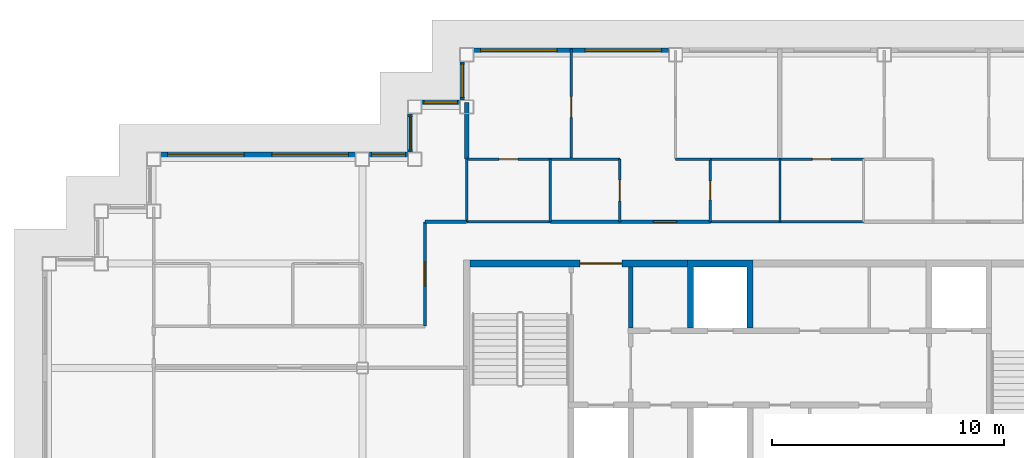
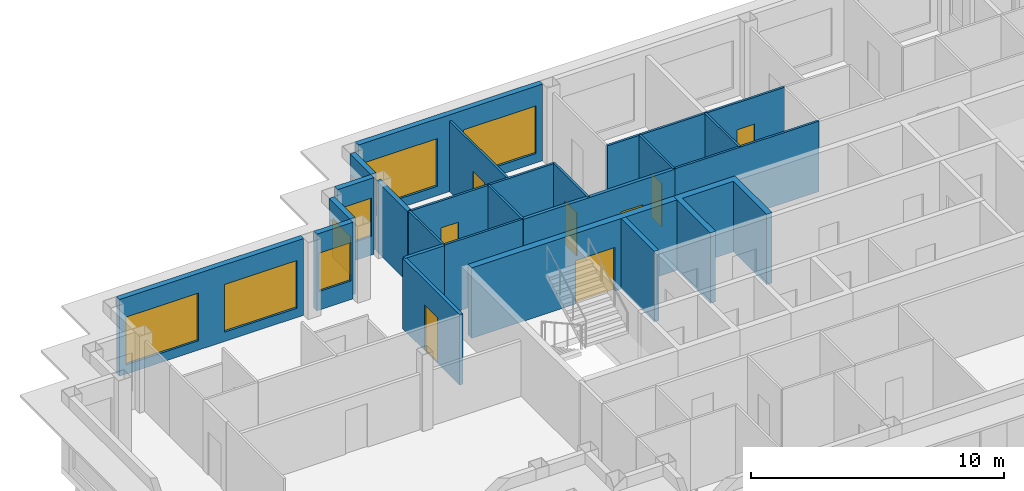
# One storey, part 4 of 12: 25 walls, 8 doors, 8 windows, 16 openings.
"""IFC4 building model written with IfcOpenShell, lengths in metres."""

from ifc_helpers import new_model, si_unit, direction, frame, frame_2d, origin, place, context, subcontext, project, spatial, polyline, rectangle, outline, extrude, material, layer, layer_set, type_object, element, fill, save


model = new_model("IFC4")

# Units and contexts
model_context = context("Model", 3, precision=1e-05, world=origin(), true_north=direction((0.0, 1.0)))
body_context = subcontext(model_context, "Body", "Model", "MODEL_VIEW")
ifc_project = project(units=[si_unit("LENGTHUNIT", "METRE"), si_unit("AREAUNIT", "SQUARE_METRE"), si_unit("VOLUMEUNIT", "CUBIC_METRE"), si_unit("PLANEANGLEUNIT", "RADIAN"), si_unit("MASSUNIT", "GRAM", prefix="KILO")], contexts=[model_context])

# Site, building, storey
site_placement = place(None, origin())
site = spatial("IfcSite", under=ifc_project, at=site_placement, CompositionType="ELEMENT")
building_placement = place(site_placement, origin())
building = spatial("IfcBuilding", under=site, at=building_placement, Name="Caravel Reach Hotel and Residences", CompositionType="ELEMENT")
storey_placement = place(building_placement, frame((0.0, 0.0, 245.300048828125)))
storey = spatial("IfcBuildingStorey", under=building, at=storey_placement, Name="L62", CompositionType="ELEMENT", Elevation=245.300048828125)

# Walls
ifc_material_1 = material(Name="Gypsum board on steel stud", Category="steel")
ifc_layer_1 = layer(ifc_material_1, 0.10009765625)
ifc_layer_set_1 = layer_set([ifc_layer_1], Name="Bathroom pod wall 100 mm")
wall_type_1 = type_object("IfcWallType", Name="Bathroom pod wall 100 mm", PredefinedType="PARTITIONING", material=ifc_layer_set_1)
wall_1_placement = place(storey_placement, frame((28.5, 33.300048828125, 0.0), z_axis=(0.0, 0.0, 1.0), x_axis=(1.0, 0.0, 0.0)))
element("IfcWall", 1, at=wall_1_placement, inside=storey, type_object=wall_type_1, Name="L62 wall w057", PredefinedType="PARTITIONING", context=body_context, shape_type="SweptSolid", body=[
    extrude(rectangle(XDim=6.60009765625, YDim=0.10009765625, at=frame_2d((3.300048828125, 0.0))), origin(), (0.0, 0.0, 1.0), 3.39990234375),
])
wall_2_placement = place(storey_placement, frame((18.0, 33.300048828125, 0.0), z_axis=(0.0, 0.0, 1.0), x_axis=(1.0, 0.0, 0.0)))
element("IfcWall", 2, at=wall_2_placement, inside=storey, type_object=wall_type_1, Name="L62 wall w058", PredefinedType="PARTITIONING", context=body_context, shape_type="SweptSolid", body=[
    extrude(rectangle(XDim=3.60009765625, YDim=0.10009765625, at=frame_2d((1.800048828125, 0.0))), origin(), (0.0, 0.0, 1.0), 3.39990234375),
])

# Wall, opening, door
wall_3_placement = place(storey_placement, frame((28.5, 36.0, 0.0), z_axis=(0.0, 0.0, 1.0), x_axis=(1.0, 0.0, 0.0)))
wall_3 = element("IfcWall", 3, at=wall_3_placement, inside=storey, type_object=wall_type_1, Name="L62 wall w062", PredefinedType="PARTITIONING", context=body_context, shape_type="SweptSolid", body=[
    extrude(rectangle(XDim=6.60009765625, YDim=0.10009765625, at=frame_2d((3.300048828125, 0.0))), origin(), (0.0, 0.0, 1.0), 3.39990234375),
])
opening_1_placement = place(wall_3_placement, frame((4.39990234375, 0.0, 0.0)))
opening_1 = element("IfcOpeningElement", 4, at=opening_1_placement, cuts=wall_3, Name="Opening D62-024", PredefinedType="OPENING", context=body_context, shape_type="SweptSolid", body=[
    extrude(rectangle(XDim=0.800048828125, YDim=2.10009765625, at=frame_2d((0.39990234375, 1.050048828125))), frame((0.0, 0.06005859375, 0.0), z_axis=(0.0, -1.0, 0.0), x_axis=(1.0, 0.0, 0.0)), (0.0, 0.0, 1.0), 0.1201171875),
])
ifc_material_2 = material(Name="Timber and steel door leaf", Category="steel")
door_type_1 = type_object("IfcDoorType", Name="Bathroom door 800 x 2100", OperationType="SINGLE_SWING_LEFT", PredefinedType="DOOR", material=ifc_material_2)
door_1_placement = place(opening_1_placement, origin())
door_1 = element("IfcDoor", 5, at=door_1_placement, inside=storey, type_object=door_type_1, Name="door D62-024", OperationType="SINGLE_SWING_LEFT", OverallHeight=2.10009765625, OverallWidth=0.800048828125, PredefinedType="DOOR", context=body_context, shape_type="SweptSolid", body=[
    extrude(rectangle(XDim=0.800048828125, YDim=2.10009765625, at=frame_2d((0.39990234375, 1.050048828125))), frame((0.0, 0.02490234375, 0.0), z_axis=(0.0, -1.0, 0.0), x_axis=(1.0, 0.0, 0.0)), (0.0, 0.0, 1.0), 0.050048828125),
])
fill(opening_1, door_1)

wall_4_placement = place(storey_placement, frame((18.0, 36.0, 0.0), z_axis=(0.0, 0.0, 1.0), x_axis=(1.0, 0.0, 0.0)))
wall_4 = element("IfcWall", 6, at=wall_4_placement, inside=storey, type_object=wall_type_1, Name="L62 wall w063", PredefinedType="PARTITIONING", context=body_context, shape_type="SweptSolid", body=[
    extrude(rectangle(XDim=3.60009765625, YDim=0.10009765625, at=frame_2d((1.800048828125, 0.0))), origin(), (0.0, 0.0, 1.0), 3.39990234375),
])
opening_2_placement = place(wall_4_placement, frame((1.39990234375, 0.0, 0.0)))
opening_2 = element("IfcOpeningElement", 7, at=opening_2_placement, cuts=wall_4, Name="Opening D62-018", PredefinedType="OPENING", context=body_context, shape_type="SweptSolid", body=[
    extrude(rectangle(XDim=0.800048828125, YDim=2.10009765625, at=frame_2d((0.39990234375, 1.050048828125))), frame((0.0, 0.06005859375, 0.0), z_axis=(0.0, -1.0, 0.0), x_axis=(1.0, 0.0, 0.0)), (0.0, 0.0, 1.0), 0.1201171875),
])
door_2_placement = place(opening_2_placement, origin())
door_2 = element("IfcDoor", 8, at=door_2_placement, inside=storey, type_object=door_type_1, Name="door D62-018", OperationType="SINGLE_SWING_LEFT", OverallHeight=2.10009765625, OverallWidth=0.800048828125, PredefinedType="DOOR", context=body_context, shape_type="SweptSolid", body=[
    extrude(rectangle(XDim=0.800048828125, YDim=2.10009765625, at=frame_2d((0.39990234375, 1.050048828125))), frame((0.0, 0.02490234375, 0.0), z_axis=(0.0, -1.0, 0.0), x_axis=(1.0, 0.0, 0.0)), (0.0, 0.0, 1.0), 0.050048828125),
])
fill(opening_2, door_2)

# Walls
wall_5_placement = place(storey_placement, frame((18.0, 33.301025390625, 0.0), z_axis=(0.0, 0.0, 1.0), x_axis=(0.0, 1.0, 0.0)))
element("IfcWall", 9, at=wall_5_placement, inside=storey, type_object=wall_type_1, Name="L62 wall w066", PredefinedType="PARTITIONING", context=body_context, shape_type="SweptSolid", body=[
    extrude(rectangle(XDim=2.698974609375, YDim=0.10009765625, at=frame_2d((1.349609375, 0.0))), origin(), (0.0, 0.0, 1.0), 3.39990234375),
])
wall_6_placement = place(storey_placement, frame((21.60009765625, 33.300048828125, 0.0), z_axis=(0.0, 0.0, 1.0), x_axis=(0.0, 1.0, 0.0)))
element("IfcWall", 10, at=wall_6_placement, inside=storey, type_object=wall_type_1, Name="L62 wall w069", PredefinedType="PARTITIONING", context=body_context, shape_type="SweptSolid", body=[
    extrude(rectangle(XDim=2.699951171875, YDim=0.10009765625, at=frame_2d((1.35009765625, 0.0))), origin(), (0.0, 0.0, 1.0), 3.39990234375),
])

# Wall, opening, door
wall_7_placement = place(storey_placement, frame((28.5, 33.300048828125, 0.0), z_axis=(0.0, 0.0, 1.0), x_axis=(0.0, 1.0, 0.0)))
wall_7 = element("IfcWall", 11, at=wall_7_placement, inside=storey, type_object=wall_type_1, Name="L62 wall w071", PredefinedType="PARTITIONING", context=body_context, shape_type="SweptSolid", body=[
    extrude(rectangle(XDim=2.699951171875, YDim=0.10009765625, at=frame_2d((1.35009765625, 0.0))), origin(), (0.0, 0.0, 1.0), 3.39990234375),
])
opening_3_placement = place(wall_7_placement, frame((0.949951171875, 0.0, 0.0)))
opening_3 = element("IfcOpeningElement", 12, at=opening_3_placement, cuts=wall_7, Name="Opening D62-020", PredefinedType="OPENING", context=body_context, shape_type="SweptSolid", body=[
    extrude(rectangle(XDim=0.800048828125, YDim=2.10009765625, at=frame_2d((0.39990234375, 1.050048828125))), frame((0.0, 0.06005859375, 0.0), z_axis=(0.0, -1.0, 0.0), x_axis=(1.0, 0.0, 0.0)), (0.0, 0.0, 1.0), 0.1201171875),
])
door_3_placement = place(opening_3_placement, origin())
door_3 = element("IfcDoor", 13, at=door_3_placement, inside=storey, type_object=door_type_1, Name="door D62-020", OperationType="SINGLE_SWING_LEFT", OverallHeight=2.10009765625, OverallWidth=0.800048828125, PredefinedType="DOOR", context=body_context, shape_type="SweptSolid", body=[
    extrude(rectangle(XDim=0.800048828125, YDim=2.10009765625, at=frame_2d((0.39990234375, 1.050048828125))), frame((0.0, 0.02490234375, 0.0), z_axis=(0.0, -1.0, 0.0), x_axis=(1.0, 0.0, 0.0)), (0.0, 0.0, 1.0), 0.050048828125),
])
fill(opening_3, door_3)

# Walls
wall_8_placement = place(storey_placement, frame((31.5, 33.300048828125, 0.0), z_axis=(0.0, 0.0, 1.0), x_axis=(0.0, 1.0, 0.0)))
element("IfcWall", 14, at=wall_8_placement, inside=storey, type_object=wall_type_1, Name="L62 wall w072", PredefinedType="PARTITIONING", context=body_context, shape_type="SweptSolid", body=[
    extrude(rectangle(XDim=2.699951171875, YDim=0.10009765625, at=frame_2d((1.35009765625, 0.0))), origin(), (0.0, 0.0, 1.0), 3.39990234375),
])
ifc_material_3 = material(Name="Autoclaved aerated block wall")
ifc_layer_2 = layer(ifc_material_3, 0.199951171875)
ifc_layer_set_2 = layer_set([ifc_layer_2], Name="Compartment wall 200 mm EI 120")
wall_type_2 = type_object("IfcWallType", Name="Compartment wall 200 mm EI 120", PredefinedType="PARTITIONING", material=ifc_layer_set_2)
wall_9_placement = place(storey_placement, frame((25.071533203125, 28.72509765625, 0.0), z_axis=(0.0, 0.0, 1.0), x_axis=(0.0, 1.0, 0.0)))
element("IfcWall", 15, at=wall_9_placement, inside=storey, type_object=wall_type_2, Name="L62 store partition", PredefinedType="PARTITIONING", context=body_context, shape_type="SweptSolid", body=[
    extrude(rectangle(XDim=2.625, YDim=0.199951171875, at=frame_2d((1.3125, 0.0))), origin(), (0.0, 0.0, 1.0), 3.39990234375),
])

# Wall, opening, door
ifc_material_4 = material(Name="Concrete C60", Category="concrete")
ifc_layer_3 = layer(ifc_material_4, 0.300048828125)
ifc_layer_set_3 = layer_set([ifc_layer_3], Name="Core wall 300 mm EI 120")
wall_type_3 = type_object("IfcWallType", Name="Core wall 300 mm EI 120", PredefinedType="SHEAR", material=ifc_layer_set_3)
wall_10_placement = place(storey_placement, frame((18.14990234375, 31.5, 0.0), z_axis=(0.0, 0.0, 1.0), x_axis=(1.0, 0.0, 0.0)))
wall_10 = element("IfcWall", 16, at=wall_10_placement, inside=storey, type_object=wall_type_3, Name="L62 core wall N1", PredefinedType="SHEAR", context=body_context, shape_type="SweptSolid", body=[
    extrude(rectangle(XDim=9.367919921875, YDim=0.300048828125, at=frame_2d((4.68408203125, 0.0))), origin(), (0.0, 0.0, 1.0), 3.39990234375),
])
opening_4_placement = place(wall_10_placement, frame((4.735595703125, 0.0, 0.0)))
opening_4 = element("IfcOpeningElement", 17, at=opening_4_placement, cuts=wall_10, Name="Opening D62-015", PredefinedType="OPENING", context=body_context, shape_type="SweptSolid", body=[
    extrude(rectangle(XDim=1.800048828125, YDim=2.10009765625, at=frame_2d((0.89990234375, 1.050048828125))), frame((0.0, 0.159912109375, 0.0), z_axis=(0.0, -1.0, 0.0), x_axis=(1.0, 0.0, 0.0)), (0.0, 0.0, 1.0), 0.320068359375),
])
ifc_material_5 = material(Name="Steel fire door leaf", Category="steel")
door_type_2 = type_object("IfcDoorType", Name="Fire lobby door pair 1800 x 2100 EI 90", OperationType="DOUBLE_DOOR_SINGLE_SWING", PredefinedType="DOOR", material=ifc_material_5)
door_4_placement = place(opening_4_placement, origin())
door_4 = element("IfcDoor", 18, at=door_4_placement, inside=storey, type_object=door_type_2, Name="lobby N door pair to corridor", OperationType="DOUBLE_DOOR_SINGLE_SWING", OverallHeight=2.10009765625, OverallWidth=1.800048828125, PredefinedType="DOOR", context=body_context, shape_type="SweptSolid", body=[
    extrude(rectangle(XDim=1.800048828125, YDim=2.10009765625, at=frame_2d((0.89990234375, 1.050048828125))), frame((0.0, 0.02490234375, 0.0), z_axis=(0.0, -1.0, 0.0), x_axis=(1.0, 0.0, 0.0)), (0.0, 0.0, 1.0), 0.050048828125),
])
fill(opening_4, door_4)

ifc_material_6 = material(Name="Gypsum board on steel stud, fire-rated", Category="steel")
ifc_layer_4 = layer(ifc_material_6, 0.14990234375)
ifc_layer_set_4 = layer_set([ifc_layer_4], Name="Corridor wall 150 mm EI 60")
wall_type_4 = type_object("IfcWallType", Name="Corridor wall 150 mm EI 60", PredefinedType="PARTITIONING", material=ifc_layer_set_4)
wall_11_placement = place(storey_placement, frame((21.60009765625, 33.300048828125, 0.0), z_axis=(0.0, 0.0, 1.0), x_axis=(1.0, 0.0, 0.0)))
wall_11 = element("IfcWall", 19, at=wall_11_placement, inside=storey, type_object=wall_type_4, Name="L62 wall w011", PredefinedType="PARTITIONING", context=body_context, shape_type="SweptSolid", body=[
    extrude(rectangle(XDim=6.89990234375, YDim=0.14990234375, at=frame_2d((3.449951171875, 0.0))), origin(), (0.0, 0.0, 1.0), 3.39990234375),
])
opening_5_placement = place(wall_11_placement, frame((4.449951171875, 0.0, 0.0)))
opening_5 = element("IfcOpeningElement", 20, at=opening_5_placement, cuts=wall_11, Name="Opening D62-017", PredefinedType="OPENING", context=body_context, shape_type="SweptSolid", body=[
    extrude(rectangle(XDim=1.0, YDim=2.199951171875, at=frame_2d((0.5, 1.10009765625))), frame((0.0, 0.0849609375, 0.0), z_axis=(0.0, -1.0, 0.0), x_axis=(1.0, 0.0, 0.0)), (0.0, 0.0, 1.0), 0.169921875),
])
ifc_material_7 = material(Name="Steel fire door leaf", Category="steel")
door_type_3 = type_object("IfcDoorType", Name="Flat entrance door 1000 x 2200 EI 60", OperationType="SINGLE_SWING_LEFT", PredefinedType="DOOR", material=ifc_material_7)
door_5_placement = place(opening_5_placement, origin())
door_5 = element("IfcDoor", 21, at=door_5_placement, inside=storey, type_object=door_type_3, Name="door D62-017", OperationType="SINGLE_SWING_LEFT", OverallHeight=2.199951171875, OverallWidth=1.0, PredefinedType="DOOR", context=body_context, shape_type="SweptSolid", body=[
    extrude(rectangle(XDim=1.0, YDim=2.199951171875, at=frame_2d((0.5, 1.10009765625))), frame((0.0, 0.02490234375, 0.0), z_axis=(0.0, -1.0, 0.0), x_axis=(1.0, 0.0, 0.0)), (0.0, 0.0, 1.0), 0.050048828125),
])
fill(opening_5, door_5)

# Wall
wall_12_placement = place(storey_placement, frame((16.199951171875, 33.300048828125, 0.0), z_axis=(0.0, 0.0, 1.0), x_axis=(1.0, 0.0, 0.0)))
element("IfcWall", 22, at=wall_12_placement, inside=storey, type_object=wall_type_4, Name="L62 wall w014", PredefinedType="PARTITIONING", context=body_context, shape_type="SweptSolid", body=[
    extrude(rectangle(XDim=1.799072265625, YDim=0.14990234375, at=frame_2d((0.8994140625, 0.0))), origin(), (0.0, 0.0, 1.0), 3.39990234375),
])

# Wall, opening, door
wall_13_placement = place(storey_placement, frame((16.199951171875, 28.801025390625, 0.0), z_axis=(0.0, 0.0, 1.0), x_axis=(0.0, 1.0, 0.0)))
wall_13 = element("IfcWall", 23, at=wall_13_placement, inside=storey, type_object=wall_type_4, Name="L62 wall w015", PredefinedType="PARTITIONING", context=body_context, shape_type="SweptSolid", body=[
    extrude(rectangle(XDim=4.4990234375, YDim=0.14990234375, at=frame_2d((2.24951171875, 0.0))), origin(), (0.0, 0.0, 1.0), 3.39990234375),
])
opening_6_placement = place(wall_13_placement, frame((1.74951171875, 0.0, 0.0)))
opening_6 = element("IfcOpeningElement", 24, at=opening_6_placement, cuts=wall_13, Name="Opening D62-029", PredefinedType="OPENING", context=body_context, shape_type="SweptSolid", body=[
    extrude(rectangle(XDim=1.0, YDim=2.199951171875, at=frame_2d((0.5, 1.10009765625))), frame((0.0, 0.0849609375, 0.0), z_axis=(0.0, -1.0, 0.0), x_axis=(1.0, 0.0, 0.0)), (0.0, 0.0, 1.0), 0.169921875),
])
door_6_placement = place(opening_6_placement, origin())
door_6 = element("IfcDoor", 25, at=door_6_placement, inside=storey, type_object=door_type_3, Name="door D62-029", OperationType="SINGLE_SWING_RIGHT", OverallHeight=2.199951171875, OverallWidth=1.0, PredefinedType="DOOR", context=body_context, shape_type="SweptSolid", body=[
    extrude(rectangle(XDim=1.0, YDim=2.199951171875, at=frame_2d((0.5, 1.10009765625))), frame((0.0, 0.02490234375, 0.0), z_axis=(0.0, -1.0, 0.0), x_axis=(1.0, 0.0, 0.0)), (0.0, 0.0, 1.0), 0.050048828125),
])
fill(opening_6, door_6)

# Wall, openings, windows
ifc_material_8 = material(Name="Insulated rainscreen wall, aluminium cladding", Category="aluminium")
ifc_layer_5 = layer(ifc_material_8, 0.25)
ifc_layer_set_5 = layer_set([ifc_layer_5], Name="EW1 Tower rainscreen wall")
wall_type_5 = type_object("IfcWallType", Name="EW1 Tower rainscreen wall", PredefinedType="SOLIDWALL", material=ifc_layer_set_5)
wall_14_placement = place(storey_placement, frame((26.699951171875, 40.675048828125, 0.0), z_axis=(0.0, 0.0, 1.0), x_axis=(-1.0, 0.0, 0.0)))
wall_14 = element("IfcWall", 26, at=wall_14_placement, inside=storey, type_object=wall_type_5, Name="External wall L62 N14.3", PredefinedType="SOLIDWALL", context=body_context, shape_type="SweptSolid", body=[
    extrude(rectangle(XDim=8.39990234375, YDim=0.25, at=frame_2d((4.199951171875, 0.0))), origin(), (0.0, 0.0, 1.0), 3.699951171875),
])
opening_7_placement = place(wall_14_placement, frame((0.300048828125, 0.0, 0.449951171875)))
opening_7 = element("IfcOpeningElement", 27, at=opening_7_placement, cuts=wall_14, Name="Opening WN15", PredefinedType="OPENING", context=body_context, shape_type="SweptSolid", body=[
    extrude(rectangle(XDim=3.300048828125, YDim=2.300048828125, at=frame_2d((1.64990234375, 1.14990234375))), frame((0.0, 0.135009765625, 0.0), z_axis=(0.0, -1.0, 0.0), x_axis=(1.0, 0.0, 0.0)), (0.0, 0.0, 1.0), 0.27001953125),
])
opening_8_placement = place(wall_14_placement, frame((4.800048828125, 0.0, 0.449951171875)))
opening_8 = element("IfcOpeningElement", 28, at=opening_8_placement, cuts=wall_14, Name="Opening WN15", PredefinedType="OPENING", context=body_context, shape_type="SweptSolid", body=[
    extrude(rectangle(XDim=3.300048828125, YDim=2.300048828125, at=frame_2d((1.64990234375, 1.14990234375))), frame((0.0, 0.135009765625, 0.0), z_axis=(0.0, -1.0, 0.0), x_axis=(1.0, 0.0, 0.0)), (0.0, 0.0, 1.0), 0.27001953125),
])
ifc_material_9 = material(Name="Dark low-e glazing in black aluminium frame", Category="aluminium")
window_type_1 = type_object("IfcWindowType", Name="Residence living window 3300 x 2300", PartitioningType="SINGLE_PANEL", PredefinedType="WINDOW", material=ifc_material_9)
window_1_placement = place(opening_7_placement, origin())
window_1 = element("IfcWindow", 29, at=window_1_placement, inside=storey, type_object=window_type_1, Name="Window L62 N14.3.1", OverallHeight=2.300048828125, OverallWidth=3.300048828125, PartitioningType="SINGLE_PANEL", PredefinedType="WINDOW", context=body_context, shape_type="SweptSolid", body=[
    extrude(rectangle(XDim=3.300048828125, YDim=2.300048828125, at=frame_2d((1.64990234375, 1.14990234375))), frame((0.0, 0.030029296875, 0.0), z_axis=(0.0, -1.0, 0.0), x_axis=(1.0, 0.0, 0.0)), (0.0, 0.0, 1.0), 0.06005859375),
])
fill(opening_7, window_1)
window_2_placement = place(opening_8_placement, origin())
window_2 = element("IfcWindow", 30, at=window_2_placement, inside=storey, type_object=window_type_1, Name="Window L62 N14.3.2", OverallHeight=2.300048828125, OverallWidth=3.300048828125, PartitioningType="SINGLE_PANEL", PredefinedType="WINDOW", context=body_context, shape_type="SweptSolid", body=[
    extrude(rectangle(XDim=3.300048828125, YDim=2.300048828125, at=frame_2d((1.64990234375, 1.14990234375))), frame((0.0, 0.030029296875, 0.0), z_axis=(0.0, -1.0, 0.0), x_axis=(1.0, 0.0, 0.0)), (0.0, 0.0, 1.0), 0.06005859375),
])
fill(opening_8, window_2)

# Wall, opening, window
wall_15_placement = place(storey_placement, frame((17.824951171875, 40.199951171875, 0.0), z_axis=(0.0, 0.0, 1.0), x_axis=(0.0, -1.0, 0.0)))
wall_15 = element("IfcWall", 31, at=wall_15_placement, inside=storey, type_object=wall_type_5, Name="External wall L62 W15.1", PredefinedType="SOLIDWALL", context=body_context, shape_type="SweptSolid", body=[
    extrude(rectangle(XDim=1.64990234375, YDim=0.25, at=frame_2d((0.824951171875, 0.0))), origin(), (0.0, 0.0, 1.0), 3.699951171875),
])
opening_9_placement = place(wall_15_placement, frame((0.10009765625, 0.0, 0.89990234375)))
opening_9 = element("IfcOpeningElement", 32, at=opening_9_placement, cuts=wall_15, Name="Opening WN25", PredefinedType="OPENING", context=body_context, shape_type="SweptSolid", body=[
    extrude(rectangle(XDim=1.449951171875, YDim=1.85009765625, at=frame_2d((0.72509765625, 0.925048828125))), frame((0.0, 0.135009765625, 0.0), z_axis=(0.0, -1.0, 0.0), x_axis=(1.0, 0.0, 0.0)), (0.0, 0.0, 1.0), 0.27001953125),
])
ifc_material_10 = material(Name="Dark low-e glazing in black aluminium frame", Category="aluminium")
window_type_2 = type_object("IfcWindowType", Name="Residence bedroom window 1450 x 1850", PartitioningType="SINGLE_PANEL", PredefinedType="WINDOW", material=ifc_material_10)
window_3_placement = place(opening_9_placement, origin())
window_3 = element("IfcWindow", 33, at=window_3_placement, inside=storey, type_object=window_type_2, Name="Window L62 W15.1.1", OverallHeight=1.85009765625, OverallWidth=1.449951171875, PartitioningType="SINGLE_PANEL", PredefinedType="WINDOW", context=body_context, shape_type="SweptSolid", body=[
    extrude(rectangle(XDim=1.449951171875, YDim=1.85009765625, at=frame_2d((0.72509765625, 0.925048828125))), frame((0.0, 0.030029296875, 0.0), z_axis=(0.0, -1.0, 0.0), x_axis=(1.0, 0.0, 0.0)), (0.0, 0.0, 1.0), 0.06005859375),
])
fill(opening_9, window_3)

wall_16_placement = place(storey_placement, frame((17.699951171875, 38.425048828125, 0.0), z_axis=(0.0, 0.0, 1.0), x_axis=(-1.0, 0.0, 0.0)))
wall_16 = element("IfcWall", 34, at=wall_16_placement, inside=storey, type_object=wall_type_5, Name="External wall L62 N16.1", PredefinedType="SOLIDWALL", context=body_context, shape_type="SweptSolid", body=[
    extrude(rectangle(XDim=1.64990234375, YDim=0.25, at=frame_2d((0.824951171875, 0.0))), origin(), (0.0, 0.0, 1.0), 3.699951171875),
])
opening_10_placement = place(wall_16_placement, frame((0.10009765625, 0.0, 0.89990234375)))
opening_10 = element("IfcOpeningElement", 35, at=opening_10_placement, cuts=wall_16, Name="Opening WN25", PredefinedType="OPENING", context=body_context, shape_type="SweptSolid", body=[
    extrude(rectangle(XDim=1.449951171875, YDim=1.85009765625, at=frame_2d((0.72509765625, 0.925048828125))), frame((0.0, 0.135009765625, 0.0), z_axis=(0.0, -1.0, 0.0), x_axis=(1.0, 0.0, 0.0)), (0.0, 0.0, 1.0), 0.27001953125),
])
window_4_placement = place(opening_10_placement, origin())
window_4 = element("IfcWindow", 36, at=window_4_placement, inside=storey, type_object=window_type_2, Name="Window L62 N16.1.1", OverallHeight=1.85009765625, OverallWidth=1.449951171875, PartitioningType="SINGLE_PANEL", PredefinedType="WINDOW", context=body_context, shape_type="SweptSolid", body=[
    extrude(rectangle(XDim=1.449951171875, YDim=1.85009765625, at=frame_2d((0.72509765625, 0.925048828125))), frame((0.0, 0.030029296875, 0.0), z_axis=(0.0, -1.0, 0.0), x_axis=(1.0, 0.0, 0.0)), (0.0, 0.0, 1.0), 0.06005859375),
])
fill(opening_10, window_4)

wall_17_placement = place(storey_placement, frame((15.574951171875, 37.949951171875, 0.0), z_axis=(0.0, 0.0, 1.0), x_axis=(0.0, -1.0, 0.0)))
wall_17 = element("IfcWall", 37, at=wall_17_placement, inside=storey, type_object=wall_type_5, Name="External wall L62 W17.1", PredefinedType="SOLIDWALL", context=body_context, shape_type="SweptSolid", body=[
    extrude(rectangle(XDim=1.64990234375, YDim=0.25, at=frame_2d((0.824951171875, 0.0))), origin(), (0.0, 0.0, 1.0), 3.699951171875),
])
opening_11_placement = place(wall_17_placement, frame((0.10009765625, 0.0, 0.89990234375)))
opening_11 = element("IfcOpeningElement", 38, at=opening_11_placement, cuts=wall_17, Name="Opening WN25", PredefinedType="OPENING", context=body_context, shape_type="SweptSolid", body=[
    extrude(rectangle(XDim=1.449951171875, YDim=1.85009765625, at=frame_2d((0.72509765625, 0.925048828125))), frame((0.0, 0.135009765625, 0.0), z_axis=(0.0, -1.0, 0.0), x_axis=(1.0, 0.0, 0.0)), (0.0, 0.0, 1.0), 0.27001953125),
])
window_5_placement = place(opening_11_placement, origin())
window_5 = element("IfcWindow", 39, at=window_5_placement, inside=storey, type_object=window_type_2, Name="Window L62 W17.1.1", OverallHeight=1.85009765625, OverallWidth=1.449951171875, PartitioningType="SINGLE_PANEL", PredefinedType="WINDOW", context=body_context, shape_type="SweptSolid", body=[
    extrude(rectangle(XDim=1.449951171875, YDim=1.85009765625, at=frame_2d((0.72509765625, 0.925048828125))), frame((0.0, 0.030029296875, 0.0), z_axis=(0.0, -1.0, 0.0), x_axis=(1.0, 0.0, 0.0)), (0.0, 0.0, 1.0), 0.06005859375),
])
fill(opening_11, window_5)

wall_18_placement = place(storey_placement, frame((15.449951171875, 36.175048828125, 0.0), z_axis=(0.0, 0.0, 1.0), x_axis=(-1.0, 0.0, 0.0)))
wall_18 = element("IfcWall", 40, at=wall_18_placement, inside=storey, type_object=wall_type_5, Name="External wall L62 N18.1", PredefinedType="SOLIDWALL", context=body_context, shape_type="SweptSolid", body=[
    extrude(rectangle(XDim=1.64990234375, YDim=0.25, at=frame_2d((0.824951171875, 0.0))), origin(), (0.0, 0.0, 1.0), 3.699951171875),
])
opening_12_placement = place(wall_18_placement, frame((0.10009765625, 0.0, 0.89990234375)))
opening_12 = element("IfcOpeningElement", 41, at=opening_12_placement, cuts=wall_18, Name="Opening WN25", PredefinedType="OPENING", context=body_context, shape_type="SweptSolid", body=[
    extrude(rectangle(XDim=1.449951171875, YDim=1.85009765625, at=frame_2d((0.72509765625, 0.925048828125))), frame((0.0, 0.135009765625, 0.0), z_axis=(0.0, -1.0, 0.0), x_axis=(1.0, 0.0, 0.0)), (0.0, 0.0, 1.0), 0.27001953125),
])
window_6_placement = place(opening_12_placement, origin())
window_6 = element("IfcWindow", 42, at=window_6_placement, inside=storey, type_object=window_type_2, Name="Window L62 N18.1.1", OverallHeight=1.85009765625, OverallWidth=1.449951171875, PartitioningType="SINGLE_PANEL", PredefinedType="WINDOW", context=body_context, shape_type="SweptSolid", body=[
    extrude(rectangle(XDim=1.449951171875, YDim=1.85009765625, at=frame_2d((0.72509765625, 0.925048828125))), frame((0.0, 0.030029296875, 0.0), z_axis=(0.0, -1.0, 0.0), x_axis=(1.0, 0.0, 0.0)), (0.0, 0.0, 1.0), 0.06005859375),
])
fill(opening_12, window_6)

# Wall, openings, windows
wall_19_placement = place(storey_placement, frame((13.199951171875, 36.175048828125, 0.0), z_axis=(0.0, 0.0, 1.0), x_axis=(-1.0, 0.0, 0.0)))
wall_19 = element("IfcWall", 43, at=wall_19_placement, inside=storey, type_object=wall_type_5, Name="External wall L62 N18.2", PredefinedType="SOLIDWALL", context=body_context, shape_type="SweptSolid", body=[
    extrude(rectangle(XDim=8.39990234375, YDim=0.25, at=frame_2d((4.199951171875, 0.0))), origin(), (0.0, 0.0, 1.0), 3.699951171875),
])
opening_13_placement = place(wall_19_placement, frame((0.300048828125, 0.0, 0.449951171875)))
opening_13 = element("IfcOpeningElement", 44, at=opening_13_placement, cuts=wall_19, Name="Opening WN15", PredefinedType="OPENING", context=body_context, shape_type="SweptSolid", body=[
    extrude(rectangle(XDim=3.300048828125, YDim=2.300048828125, at=frame_2d((1.64990234375, 1.14990234375))), frame((0.0, 0.135009765625, 0.0), z_axis=(0.0, -1.0, 0.0), x_axis=(1.0, 0.0, 0.0)), (0.0, 0.0, 1.0), 0.27001953125),
])
opening_14_placement = place(wall_19_placement, frame((4.800048828125, 0.0, 0.449951171875)))
opening_14 = element("IfcOpeningElement", 45, at=opening_14_placement, cuts=wall_19, Name="Opening WN15", PredefinedType="OPENING", context=body_context, shape_type="SweptSolid", body=[
    extrude(rectangle(XDim=3.300048828125, YDim=2.300048828125, at=frame_2d((1.64990234375, 1.14990234375))), frame((0.0, 0.135009765625, 0.0), z_axis=(0.0, -1.0, 0.0), x_axis=(1.0, 0.0, 0.0)), (0.0, 0.0, 1.0), 0.27001953125),
])
window_7_placement = place(opening_13_placement, origin())
window_7 = element("IfcWindow", 46, at=window_7_placement, inside=storey, type_object=window_type_1, Name="Window L62 N18.2.1", OverallHeight=2.300048828125, OverallWidth=3.300048828125, PartitioningType="SINGLE_PANEL", PredefinedType="WINDOW", context=body_context, shape_type="SweptSolid", body=[
    extrude(rectangle(XDim=3.300048828125, YDim=2.300048828125, at=frame_2d((1.64990234375, 1.14990234375))), frame((0.0, 0.030029296875, 0.0), z_axis=(0.0, -1.0, 0.0), x_axis=(1.0, 0.0, 0.0)), (0.0, 0.0, 1.0), 0.06005859375),
])
fill(opening_13, window_7)
window_8_placement = place(opening_14_placement, origin())
window_8 = element("IfcWindow", 47, at=window_8_placement, inside=storey, type_object=window_type_1, Name="Window L62 N18.2.2", OverallHeight=2.300048828125, OverallWidth=3.300048828125, PartitioningType="SINGLE_PANEL", PredefinedType="WINDOW", context=body_context, shape_type="SweptSolid", body=[
    extrude(rectangle(XDim=3.300048828125, YDim=2.300048828125, at=frame_2d((1.64990234375, 1.14990234375))), frame((0.0, 0.030029296875, 0.0), z_axis=(0.0, -1.0, 0.0), x_axis=(1.0, 0.0, 0.0)), (0.0, 0.0, 1.0), 0.06005859375),
])
fill(opening_14, window_8)

# Walls
ifc_material_11 = material(Name="Gypsum board on steel stud", Category="steel")
ifc_layer_6 = layer(ifc_material_11, 0.10009765625)
ifc_layer_set_6 = layer_set([ifc_layer_6], Name="Partition 100 mm")
wall_type_6 = type_object("IfcWallType", Name="Partition 100 mm", PredefinedType="PARTITIONING", material=ifc_layer_set_6)
wall_20_placement = place(storey_placement, frame((27.0, 36.0, 0.0), z_axis=(0.0, 0.0, 1.0), x_axis=(1.0, 0.0, 0.0)))
element("IfcWall", 48, at=wall_20_placement, inside=storey, type_object=wall_type_6, Name="L62 wall w025", PredefinedType="PARTITIONING", context=body_context, shape_type="SweptSolid", body=[
    extrude(rectangle(XDim=1.5, YDim=0.10009765625, at=frame_2d((0.75, 0.0))), origin(), (0.0, 0.0, 1.0), 3.39990234375),
])
wall_21_placement = place(storey_placement, frame((21.60009765625, 36.0, 0.0), z_axis=(0.0, 0.0, 1.0), x_axis=(1.0, 0.0, 0.0)))
element("IfcWall", 49, at=wall_21_placement, inside=storey, type_object=wall_type_6, Name="L62 wall w026", PredefinedType="PARTITIONING", context=body_context, shape_type="SweptSolid", body=[
    extrude(rectangle(XDim=3.0, YDim=0.10009765625, at=frame_2d((1.5, 0.0))), origin(), (0.0, 0.0, 1.0), 3.39990234375),
])

# Wall, opening, door
wall_22_placement = place(storey_placement, frame((22.5, 36.0, 0.0), z_axis=(0.0, 0.0, 1.0), x_axis=(0.0, 1.0, 0.0)))
wall_22 = element("IfcWall", 50, at=wall_22_placement, inside=storey, type_object=wall_type_6, Name="L62 wall w035", PredefinedType="PARTITIONING", context=body_context, shape_type="SweptSolid", body=[
    extrude(rectangle(XDim=4.739990234375, YDim=0.10009765625, at=frame_2d((2.3701171875, 0.0))), origin(), (0.0, 0.0, 1.0), 3.39990234375),
])
opening_15_placement = place(wall_22_placement, frame((1.800048828125, 0.0, 0.0)))
opening_15 = element("IfcOpeningElement", 51, at=opening_15_placement, cuts=wall_22, Name="Opening D62-021", PredefinedType="OPENING", context=body_context, shape_type="SweptSolid", body=[
    extrude(rectangle(XDim=0.89990234375, YDim=2.10009765625, at=frame_2d((0.449951171875, 1.050048828125))), frame((0.0, 0.06005859375, 0.0), z_axis=(0.0, -1.0, 0.0), x_axis=(1.0, 0.0, 0.0)), (0.0, 0.0, 1.0), 0.1201171875),
])
ifc_material_12 = material(Name="Timber and steel door leaf", Category="steel")
door_type_4 = type_object("IfcDoorType", Name="Door 900 x 2100 timber", OperationType="SINGLE_SWING_LEFT", PredefinedType="DOOR", material=ifc_material_12)
door_7_placement = place(opening_15_placement, origin())
door_7 = element("IfcDoor", 52, at=door_7_placement, inside=storey, type_object=door_type_4, Name="door D62-021", OperationType="SINGLE_SWING_RIGHT", OverallHeight=2.10009765625, OverallWidth=0.89990234375, PredefinedType="DOOR", context=body_context, shape_type="SweptSolid", body=[
    extrude(rectangle(XDim=0.89990234375, YDim=2.10009765625, at=frame_2d((0.449951171875, 1.050048828125))), frame((0.0, 0.02490234375, 0.0), z_axis=(0.0, -1.0, 0.0), x_axis=(1.0, 0.0, 0.0)), (0.0, 0.0, 1.0), 0.050048828125),
])
fill(opening_15, door_7)

wall_23_placement = place(storey_placement, frame((24.60009765625, 33.300048828125, 0.0), z_axis=(0.0, 0.0, 1.0), x_axis=(0.0, 1.0, 0.0)))
wall_23 = element("IfcWall", 53, at=wall_23_placement, inside=storey, type_object=wall_type_6, Name="L62 wall w037", PredefinedType="PARTITIONING", context=body_context, shape_type="SweptSolid", body=[
    extrude(rectangle(XDim=2.699951171875, YDim=0.10009765625, at=frame_2d((1.35009765625, 0.0))), origin(), (0.0, 0.0, 1.0), 3.39990234375),
])
opening_16_placement = place(wall_23_placement, frame((0.89990234375, 0.0, 0.0)))
opening_16 = element("IfcOpeningElement", 54, at=opening_16_placement, cuts=wall_23, Name="Opening D62-019", PredefinedType="OPENING", context=body_context, shape_type="SweptSolid", body=[
    extrude(rectangle(XDim=0.89990234375, YDim=2.10009765625, at=frame_2d((0.449951171875, 1.050048828125))), frame((0.0, 0.06005859375, 0.0), z_axis=(0.0, -1.0, 0.0), x_axis=(1.0, 0.0, 0.0)), (0.0, 0.0, 1.0), 0.1201171875),
])
door_8_placement = place(opening_16_placement, origin())
door_8 = element("IfcDoor", 55, at=door_8_placement, inside=storey, type_object=door_type_4, Name="door D62-019", OperationType="SINGLE_SWING_LEFT", OverallHeight=2.10009765625, OverallWidth=0.89990234375, PredefinedType="DOOR", context=body_context, shape_type="SweptSolid", body=[
    extrude(rectangle(XDim=0.89990234375, YDim=2.10009765625, at=frame_2d((0.449951171875, 1.050048828125))), frame((0.0, 0.02490234375, 0.0), z_axis=(0.0, -1.0, 0.0), x_axis=(1.0, 0.0, 0.0)), (0.0, 0.0, 1.0), 0.050048828125),
])
fill(opening_16, door_8)

# Walls
ifc_material_13 = material(Name="Autoclaved aerated block wall")
ifc_layer_7 = layer(ifc_material_13, 0.199951171875)
ifc_layer_set_7 = layer_set([ifc_layer_7], Name="Party wall 200 mm EI 60")
wall_type_7 = type_object("IfcWallType", Name="Party wall 200 mm EI 60", PredefinedType="PARTITIONING", material=ifc_layer_set_7)
wall_24_placement = place(storey_placement, frame((18.0, 36.0, 0.0), z_axis=(0.0, 0.0, 1.0), x_axis=(0.0, 1.0, 0.0)))
element("IfcWall", 56, at=wall_24_placement, inside=storey, type_object=wall_type_7, Name="L62 wall w048", PredefinedType="PARTITIONING", context=body_context, shape_type="SweptSolid", body=[
    extrude(rectangle(XDim=2.43994140625, YDim=0.199951171875, at=frame_2d((1.219970703125, 0.0))), origin(), (0.0, 0.0, 1.0), 3.39990234375),
])
ifc_material_14 = material(Name="Concrete C60", Category="concrete")
ifc_layer_8 = layer(ifc_material_14, 0.25)
ifc_layer_set_8 = layer_set([ifc_layer_8], Name="Shaft wall 250 mm EI 120")
wall_type_8 = type_object("IfcWallType", Name="Shaft wall 250 mm EI 120", PredefinedType="SHEAR", material=ifc_layer_set_8)
wall_25_placement = place(storey_placement, origin())
element("IfcWall", 57, at=wall_25_placement, inside=storey, type_object=wall_type_8, Name="L62 lift shaft wall N1", PredefinedType="SHEAR", context=body_context, shape_type="SweptSolid", body=[
    extrude(outline(polyline([(27.517822265625, 28.72509765625), (27.767822265625, 28.72509765625), (27.767822265625, 31.35009765625), (30.08935546875, 31.35009765625), (30.08935546875, 28.72509765625), (30.33935546875, 28.72509765625), (30.33935546875, 31.64990234375), (27.517822265625, 31.64990234375), (27.517822265625, 28.72509765625)])), origin(), (0.0, 0.0, 1.0), 3.39990234375),
])

save(model, "model.ifc")
